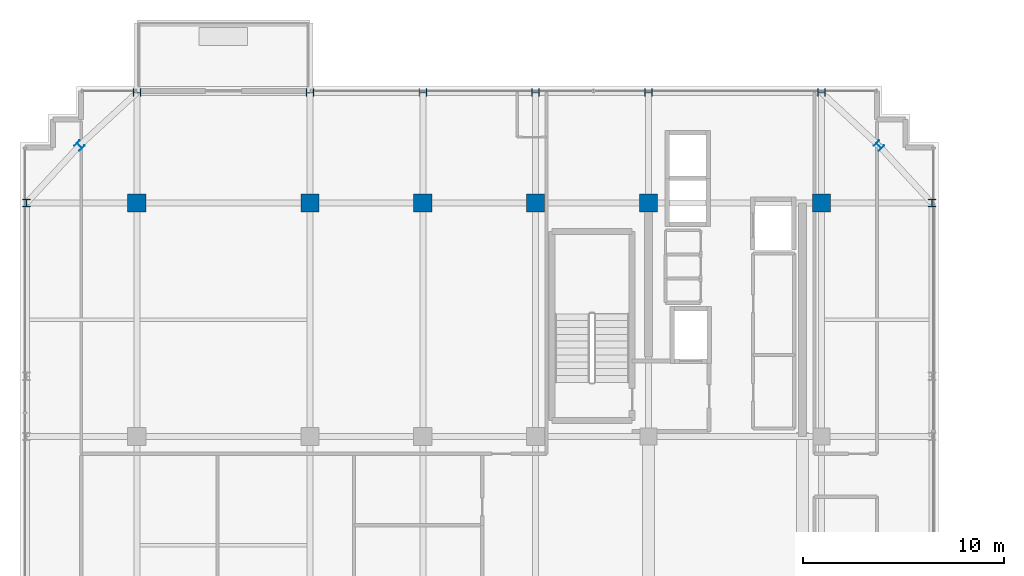
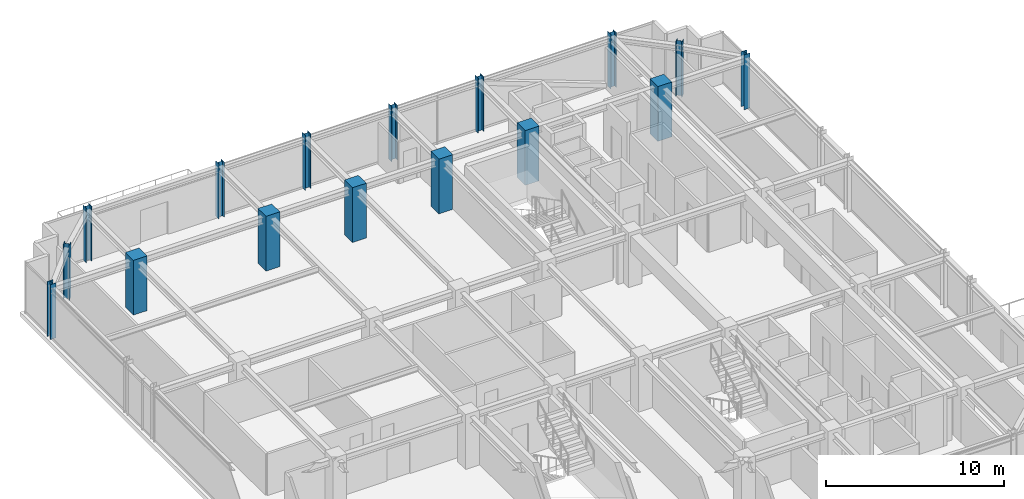
# One storey, part 3 of 31: 16 columns.
"""IFC4 building model written with IfcOpenShell, lengths in metres."""

import ifcopenshell
import ifcopenshell.guid

model = None  # the IFC model being written
_history = None  # IfcOwnerHistory: only IFC2X3 demands one
_inside = {}  # id of a spatial element -> (the spatial element, [elements in it])
_under = {}  # id of a project, library or spatial element -> (it, [spatial elements below it])
_declared = {}  # id of a project -> (the project, [libraries it declares])
_typed = {}  # id of a type object -> (the type object, [elements of that type])
_made_of = {}  # id of a material, layer set ... -> (it, [elements and type objects made of it])


def new_model(schema):
    """Start an empty IFC model of exactly this schema.

    Asked for "IFC4X3", IfcOpenShell would pick the latest addendum, in which some entities
    have other attributes; the version numbers below select the first issue.
    IFC2X3 requires an IfcOwnerHistory on every rooted entity: one is made here for all.
    """
    global model, _history
    if schema == "IFC4X3":
        model = ifcopenshell.file(schema_version=(4, 3, 0, 0))
    else:
        model = ifcopenshell.file(schema=schema)
    _inside.clear()
    _under.clear()
    _declared.clear()
    _typed.clear()
    _made_of.clear()
    _history = None
    if model.schema == "IFC2X3":
        org = make("IfcOrganization", Name="unknown")
        user = make(
            "IfcPersonAndOrganization",
            ThePerson=make("IfcPerson", FamilyName="unknown"),
            TheOrganization=org,
        )
        app = make(
            "IfcApplication",
            ApplicationDeveloper=org,
            Version="unknown",
            ApplicationFullName="unknown",
            ApplicationIdentifier="unknown",
        )
        _history = make(
            "IfcOwnerHistory",
            OwningUser=user,
            OwningApplication=app,
            ChangeAction="ADDED",
            CreationDate=0,
        )
    return model


def make(cls, **values):
    """One entity of the class cls with the attributes given. An attribute that is None is left unset."""
    return model.create_entity(
        cls, **{name: value for name, value in values.items() if value is not None}
    )


def rooted(cls, **values):
    """An entity with a GlobalId (a new one), such as an element, a storey or a relation."""
    return make(cls, GlobalId=ifcopenshell.guid.new(), OwnerHistory=_history, **values)


def si_unit(unit_type, name, prefix=None):
    """IfcSIUnit, for example si_unit("LENGTHUNIT", "METRE", prefix="MILLI")."""
    return make("IfcSIUnit", UnitType=unit_type, Prefix=prefix, Name=name)


def assignment(units):
    """IfcUnitAssignment: the units of a project."""
    return None if units is None else make("IfcUnitAssignment", Units=units)


def point(xyz):
    """IfcCartesianPoint."""
    return None if xyz is None else make("IfcCartesianPoint", Coordinates=xyz)


def direction(xyz):
    """IfcDirection."""
    return None if xyz is None else make("IfcDirection", DirectionRatios=xyz)


def frame(location, z_axis=None, x_axis=None):
    """IfcAxis2Placement3D, a coordinate frame: its origin and axes. An axis left out is left unset."""
    return make(
        "IfcAxis2Placement3D",
        Location=point(location),
        Axis=direction(z_axis),
        RefDirection=direction(x_axis),
    )


def frame_2d(location, x_axis=None):
    """IfcAxis2Placement2D, a coordinate frame in the plane: its origin and x axis."""
    return make(
        "IfcAxis2Placement2D", Location=point(location), RefDirection=direction(x_axis)
    )


def origin():
    """The frame at (0, 0, 0) with its axes left unset."""
    return frame((0.0, 0.0, 0.0))


def origin_2d():
    """The frame at (0, 0) in the plane with its x axis left unset."""
    return frame_2d((0.0, 0.0))


def place(relative_to, where):
    """IfcLocalPlacement: puts the frame where relative to a parent placement (None: the world)."""
    return make(
        "IfcLocalPlacement", PlacementRelTo=relative_to, RelativePlacement=where
    )


def context(
    kind, dimensions, precision=None, world=None, true_north=None, identifier=None
):
    """IfcGeometricRepresentationContext, for example the 3D "Model" context."""
    return make(
        "IfcGeometricRepresentationContext",
        ContextIdentifier=identifier,
        ContextType=kind,
        CoordinateSpaceDimension=dimensions,
        Precision=precision,
        WorldCoordinateSystem=world,
        TrueNorth=true_north,
    )


def subcontext(parent, identifier, kind, view, scale=None):
    """IfcGeometricRepresentationSubContext, for example "Body" below "Model"."""
    return make(
        "IfcGeometricRepresentationSubContext",
        ContextIdentifier=identifier,
        ContextType=kind,
        ParentContext=parent,
        TargetScale=scale,
        TargetView=view,
    )


def project(units=None, contexts=None):
    """IfcProject with its units and contexts."""
    return rooted(
        "IfcProject",
        Name="project",
        RepresentationContexts=contexts,
        UnitsInContext=assignment(units),
    )


def spatial(cls, under=None, at=None, **own):
    """A site, building, storey or space (cls), placed at a placement, below another one or the project."""
    s = rooted(cls, ObjectPlacement=at, **own)
    if under is not None:
        _under.setdefault(under.id(), (under, []))[1].append(s)
    return s


def profile(cls, at=None, kind="AREA", **sizes):
    """A parametric profile (cls). Its sizes go by their IFC names, for example OverallWidth=200.0."""
    return make(cls, ProfileType=kind, Position=at, **sizes)


def rectangle(**sizes):
    """IfcRectangleProfileDef."""
    return profile("IfcRectangleProfileDef", **sizes)


def i_section(**sizes):
    """IfcIShapeProfileDef."""
    return profile("IfcIShapeProfileDef", **sizes)


def extrude(swept, where, along, depth):
    """IfcExtrudedAreaSolid: the profile swept, set in the frame where, extruded along a direction by depth."""
    return make(
        "IfcExtrudedAreaSolid",
        SweptArea=swept,
        Position=where,
        ExtrudedDirection=direction(along),
        Depth=depth,
    )


def shape(context_of_items, identifier, shape_type, items):
    """IfcShapeRepresentation: the items that make up one representation, for example the "Body"."""
    return make(
        "IfcShapeRepresentation",
        ContextOfItems=context_of_items,
        RepresentationIdentifier=identifier,
        RepresentationType=shape_type,
        Items=items,
    )


def source(mapping_origin, context_of_items, identifier, shape_type, items):
    """IfcRepresentationMap: a shape defined once, which mapped items show again and again."""
    return make(
        "IfcRepresentationMap",
        MappingOrigin=mapping_origin,
        MappedRepresentation=shape(context_of_items, identifier, shape_type, items),
    )


def transform(
    local_origin,
    x_axis=None,
    y_axis=None,
    z_axis=None,
    scale=None,
    scale2=None,
    scale3=None,
    uniform=True,
):
    """IfcCartesianTransformationOperator3D, or its non-uniform kind. x_axis, y_axis, z_axis: its Axis1, 2, 3."""
    if uniform:
        return make(
            "IfcCartesianTransformationOperator3D",
            Axis1=direction(x_axis),
            Axis2=direction(y_axis),
            LocalOrigin=point(local_origin),
            Scale=scale,
            Axis3=direction(z_axis),
        )
    return make(
        "IfcCartesianTransformationOperator3DnonUniform",
        Axis1=direction(x_axis),
        Axis2=direction(y_axis),
        LocalOrigin=point(local_origin),
        Scale=scale,
        Axis3=direction(z_axis),
        Scale2=scale2,
        Scale3=scale3,
    )


def mapped(mapping_source, mapping_target):
    """IfcMappedItem: shows the shape of a source again, moved by a transform."""
    return make(
        "IfcMappedItem", MappingSource=mapping_source, MappingTarget=mapping_target
    )


def material(Name=None, Category=None):
    """IfcMaterial."""
    return make("IfcMaterial", Name=Name, Category=Category)


def material_profile(
    of_material, cross_section, Name=None, Category=None, Priority=None
):
    """IfcMaterialProfile: a cross section and its material."""
    return make(
        "IfcMaterialProfile",
        Name=Name,
        Material=of_material,
        Profile=cross_section,
        Priority=Priority,
        Category=Category,
    )


def profile_set(profiles, Name=None, composite=None):
    """IfcMaterialProfileSet."""
    return make(
        "IfcMaterialProfileSet",
        Name=Name,
        MaterialProfiles=profiles,
        CompositeProfile=composite,
    )


def made_of(thing, what):
    """Note that an element or type object is made of a material, layer set ...; save() writes the relation."""
    if what is not None:
        _made_of.setdefault(what.id(), (what, []))[1].append(thing)
    return thing


def type_object(cls, material=None, **own):
    """A type object (cls), such as IfcWallType, which elements share."""
    return made_of(rooted(cls, **own), material)


def element(
    cls,
    number,
    at=None,
    inside=None,
    cuts=None,
    type_object=None,
    material=None,
    context=None,
    identifier="Body",
    shape_type=None,
    held_by="IfcProductDefinitionShape",
    body=None,
    shapes=None,
    **own,
):
    """One element of the class cls, such as IfcWall. Its Tag is "e" and its number.

    at: its placement. inside: the storey or other place that contains it. cuts: it is an
    opening in that element (IfcRelVoidsElement). A single representation is given by context,
    identifier, shape_type and body (its items); several are given by shapes. held_by: the class
    of the entity that holds the representations. save() writes the other relations.
    """
    e = rooted(cls, Tag="e%d" % number, ObjectPlacement=at, **own)
    if body is not None:
        shapes = [shape(context, identifier, shape_type, body)]
    if shapes is not None:
        e.Representation = make(held_by, Representations=shapes)
    if inside is not None:
        _inside.setdefault(inside.id(), (inside, []))[1].append(e)
    if cuts is not None:
        rooted(
            "IfcRelVoidsElement", RelatingBuildingElement=cuts, RelatedOpeningElement=e
        )
    if type_object is not None:
        _typed.setdefault(type_object.id(), (type_object, []))[1].append(e)
    return made_of(e, material)


def aggregate(whole, parts):
    """IfcRelAggregates: a whole, such as a stair, and the parts it consists of."""
    return rooted("IfcRelAggregates", RelatingObject=whole, RelatedObjects=parts)


def save(model, path):
    """Write the relations noted so far, then the file.

    IfcRelAggregates (storeys below a building ...), IfcRelContainedInSpatialStructure (elements
    in a storey), IfcRelDefinesByType, IfcRelAssociatesMaterial and IfcRelDeclares: one each for
    every whole, place, type object, material and project.
    """
    for whole, parts in _under.values():
        aggregate(whole, parts)
    for where, things in _inside.values():
        rooted(
            "IfcRelContainedInSpatialStructure",
            RelatedElements=things,
            RelatingStructure=where,
        )
    for kind, things in _typed.values():
        rooted("IfcRelDefinesByType", RelatedObjects=things, RelatingType=kind)
    for what, things in _made_of.values():
        rooted("IfcRelAssociatesMaterial", RelatedObjects=things, RelatingMaterial=what)
    for by, libraries in _declared.values():
        rooted("IfcRelDeclares", RelatingContext=by, RelatedDefinitions=libraries)
    model.write(path)


model = new_model("IFC4")

# Units and contexts
model_context = context("Model", 3, precision=1e-05, world=origin(), true_north=direction((0.0, 1.0)))
body_context = subcontext(model_context, "Body", "Model", "MODEL_VIEW")
ifc_project = project(units=[si_unit("LENGTHUNIT", "METRE"), si_unit("AREAUNIT", "SQUARE_METRE"), si_unit("VOLUMEUNIT", "CUBIC_METRE"), si_unit("PLANEANGLEUNIT", "RADIAN"), si_unit("MASSUNIT", "GRAM", prefix="KILO")], contexts=[model_context])

# Site, building, storey
site_placement = place(None, origin())
site = spatial("IfcSite", under=ifc_project, at=site_placement, CompositionType="ELEMENT")
building_placement = place(site_placement, origin())
building = spatial("IfcBuilding", under=site, at=building_placement, Name="Nahalor Promenade Grand Hotel", CompositionType="ELEMENT")
storey_placement = place(building_placement, frame((0.0, 0.0, 327.14990234375)))
storey = spatial("IfcBuildingStorey", under=building, at=storey_placement, Name="L84", CompositionType="ELEMENT", Elevation=327.14990234375)

# Columns
ifc_material_1 = material(Name="Concrete B-50 (C40/50)", Category="concrete")
ifc_material_profile_1 = material_profile(ifc_material_1, rectangle(XDim=0.9, YDim=0.9, at=origin_2d()), Name="RC 900x900")
ifc_profile_set_1 = profile_set([ifc_material_profile_1], Name="Concrete B-50 (C40/50)")
column_type_1 = type_object("IfcColumnType", Name="Col-RC-900", PredefinedType="COLUMN", material=ifc_profile_set_1)
shared_shape_1 = source(origin(), body_context, "Body", "SweptSolid", [
    extrude(rectangle(XDim=0.9, YDim=0.9, at=origin_2d()), origin(), (0.0, 0.0, 1.0), 3.755126953125),
])
for number, where, z_axis, x_axis, name in (
    (1, (-17.0, 17.0, 0.0), (0.0, 0.0, 1.0), (1.0, 0.0, 0.0), "COL-L84-I03"),
    (2, (-8.39990234375, 17.0, 0.0), (0.0, 0.0, 1.0), (1.0, 0.0, 0.0), "COL-L84-I13"),
    (3, (-2.800048828125, 17.0, 0.0), (0.0, 0.0, 1.0), (1.0, 0.0, 0.0), "COL-L84-I23"),
    (4, (2.800048828125, 17.0, 0.0), (0.0, 0.0, 1.0), (1.0, 0.0, 0.0), "COL-L84-I33"),
    (5, (8.39990234375, 17.0, 0.0), (0.0, 0.0, 1.0), (1.0, 0.0, 0.0), "COL-L84-I43"),
    (6, (17.0, 17.0, 0.0), (0.0, 0.0, 1.0), (1.0, 0.0, 0.0), "COL-L84-I53"),
):
    element("IfcColumn", number, at=place(storey_placement, frame(where, z_axis=z_axis, x_axis=x_axis)), inside=storey, type_object=column_type_1, Name=name, PredefinedType="COLUMN", context=body_context, shape_type="MappedRepresentation", body=[
        mapped(shared_shape_1, transform((0.0, 0.0, 0.0), scale=1.0)),
    ])
ifc_material_2 = material(Name="Steel S355JR", Category="steel")
ifc_material_profile_2 = material_profile(ifc_material_2, i_section(OverallWidth=0.374, OverallDepth=0.374, WebThickness=0.0144, FlangeThickness=0.0229, at=origin_2d()), Name="HD 360x262")
ifc_profile_set_2 = profile_set([ifc_material_profile_2], Name="Steel S355JR")
column_type_2 = type_object("IfcColumnType", Name="Col-Steel-HD262", PredefinedType="COLUMN", material=ifc_profile_set_2)
shared_shape_2 = source(origin(), body_context, "Body", "SweptSolid", [
    extrude(i_section(OverallWidth=0.374, OverallDepth=0.374, WebThickness=0.0144, FlangeThickness=0.0229, at=origin_2d()), origin(), (0.0, 0.0, 1.0), 3.755126953125),
])
for number, where, z_axis, x_axis, name in (
    (7, (-22.47998046875, 17.0, 0.0), (0.0, 0.0, 1.0), (1.0, 0.0, 0.0), "COL-L84-PW-W5"),
    (8, (22.47998046875, 17.0, 0.0), (0.0, 0.0, 1.0), (1.0, 0.0, 0.0), "COL-L84-PW-E5"),
    (9, (-17.0, 22.47998046875, 0.0), (0.0, 0.0, 1.0), (0.0, 1.0, 0.0), "COL-L84-PN-N0"),
    (10, (-8.39990234375, 22.47998046875, 0.0), (0.0, 0.0, 1.0), (0.0, 1.0, 0.0), "COL-L84-PN-N1"),
    (11, (-2.800048828125, 22.47998046875, 0.0), (0.0, 0.0, 1.0), (0.0, 1.0, 0.0), "COL-L84-PN-N2"),
    (12, (2.800048828125, 22.47998046875, 0.0), (0.0, 0.0, 1.0), (0.0, 1.0, 0.0), "COL-L84-PN-N3"),
    (13, (8.39990234375, 22.47998046875, 0.0), (0.0, 0.0, 1.0), (0.0, 1.0, 0.0), "COL-L84-PN-N4"),
    (14, (17.0, 22.47998046875, 0.0), (0.0, 0.0, 1.0), (0.0, 1.0, 0.0), "COL-L84-PN-N5"),
    (15, (-19.85009765625, 19.85009765625, 0.0), (0.0, 0.0, 1.0), (0.707106781187, 0.707106781187, 0.0), "COL-L84-CRN-NW"),
    (16, (19.85009765625, 19.85009765625, 0.0), (0.0, 0.0, 1.0), (0.707106781187, 0.707106781187, 0.0), "COL-L84-CRN-NE"),
):
    element("IfcColumn", number, at=place(storey_placement, frame(where, z_axis=z_axis, x_axis=x_axis)), inside=storey, type_object=column_type_2, Name=name, PredefinedType="COLUMN", context=body_context, shape_type="MappedRepresentation", body=[
        mapped(shared_shape_2, transform((0.0, 0.0, 0.0), scale=1.0)),
    ])

save(model, "model.ifc")
